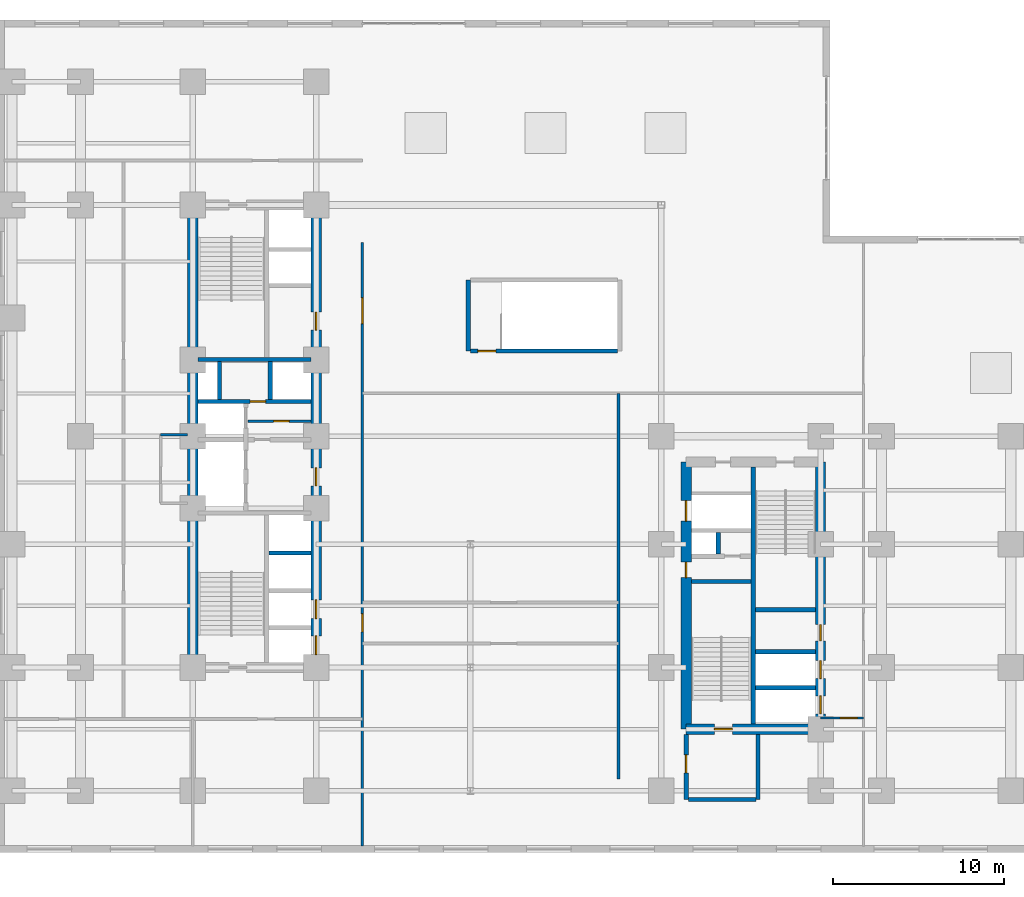
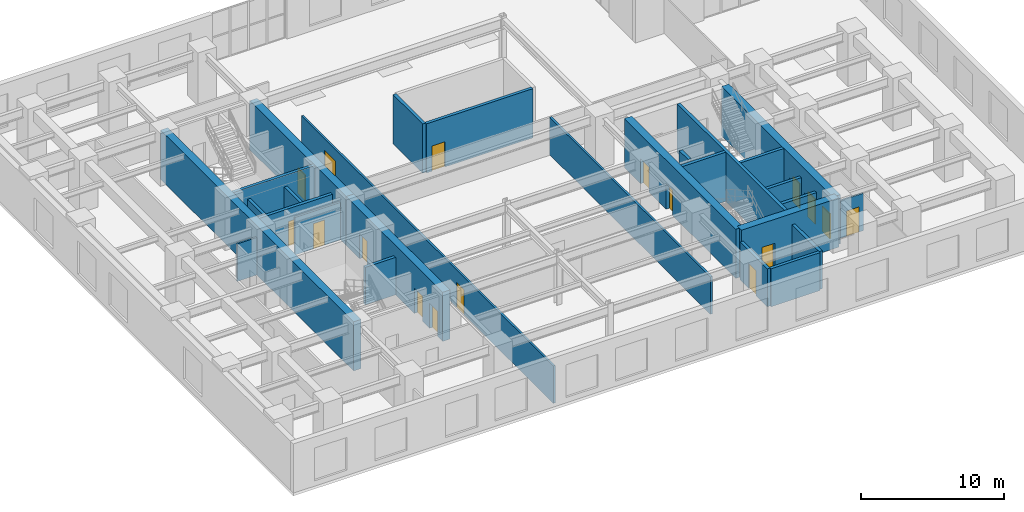
# One storey, part 9 of 14: 27 walls, 17 doors, 17 openings.
"""IFC4 building model written with IfcOpenShell, lengths in metres."""

import ifcopenshell
import ifcopenshell.guid

model = None  # the IFC model being written
_history = None  # IfcOwnerHistory: only IFC2X3 demands one
_inside = {}  # id of a spatial element -> (the spatial element, [elements in it])
_under = {}  # id of a project, library or spatial element -> (it, [spatial elements below it])
_declared = {}  # id of a project -> (the project, [libraries it declares])
_typed = {}  # id of a type object -> (the type object, [elements of that type])
_made_of = {}  # id of a material, layer set ... -> (it, [elements and type objects made of it])


def new_model(schema):
    """Start an empty IFC model of exactly this schema.

    Asked for "IFC4X3", IfcOpenShell would pick the latest addendum, in which some entities
    have other attributes; the version numbers below select the first issue.
    IFC2X3 requires an IfcOwnerHistory on every rooted entity: one is made here for all.
    """
    global model, _history
    if schema == "IFC4X3":
        model = ifcopenshell.file(schema_version=(4, 3, 0, 0))
    else:
        model = ifcopenshell.file(schema=schema)
    _inside.clear()
    _under.clear()
    _declared.clear()
    _typed.clear()
    _made_of.clear()
    _history = None
    if model.schema == "IFC2X3":
        org = make("IfcOrganization", Name="unknown")
        user = make(
            "IfcPersonAndOrganization",
            ThePerson=make("IfcPerson", FamilyName="unknown"),
            TheOrganization=org,
        )
        app = make(
            "IfcApplication",
            ApplicationDeveloper=org,
            Version="unknown",
            ApplicationFullName="unknown",
            ApplicationIdentifier="unknown",
        )
        _history = make(
            "IfcOwnerHistory",
            OwningUser=user,
            OwningApplication=app,
            ChangeAction="ADDED",
            CreationDate=0,
        )
    return model


def make(cls, **values):
    """One entity of the class cls with the attributes given. An attribute that is None is left unset."""
    return model.create_entity(
        cls, **{name: value for name, value in values.items() if value is not None}
    )


def entity(cls, *values):
    """Any entity or typed value of the class cls, its attributes in the order of the schema. None: left unset."""
    e = model.create_entity(cls)
    for i, value in enumerate(values):
        if value is not None:
            e[i] = value
    return e


def rooted(cls, **values):
    """An entity with a GlobalId (a new one), such as an element, a storey or a relation."""
    return make(cls, GlobalId=ifcopenshell.guid.new(), OwnerHistory=_history, **values)


def si_unit(unit_type, name, prefix=None):
    """IfcSIUnit, for example si_unit("LENGTHUNIT", "METRE", prefix="MILLI")."""
    return make("IfcSIUnit", UnitType=unit_type, Prefix=prefix, Name=name)


def converted_unit(unit_type, name, factor, base, dimensions=None, offset=None):
    """IfcConversionBasedUnit, such as the inch: factor (a typed value) times the base unit."""
    return make(
        "IfcConversionBasedUnit"
        if offset is None
        else "IfcConversionBasedUnitWithOffset",
        ConversionOffset=offset,
        Dimensions=None
        if dimensions is None
        else entity("IfcDimensionalExponents", *dimensions),
        UnitType=unit_type,
        Name=name,
        ConversionFactor=make(
            "IfcMeasureWithUnit", ValueComponent=factor, UnitComponent=base
        ),
    )


def assignment(units):
    """IfcUnitAssignment: the units of a project."""
    return None if units is None else make("IfcUnitAssignment", Units=units)


def point(xyz):
    """IfcCartesianPoint."""
    return None if xyz is None else make("IfcCartesianPoint", Coordinates=xyz)


def direction(xyz):
    """IfcDirection."""
    return None if xyz is None else make("IfcDirection", DirectionRatios=xyz)


def frame(location, z_axis=None, x_axis=None):
    """IfcAxis2Placement3D, a coordinate frame: its origin and axes. An axis left out is left unset."""
    return make(
        "IfcAxis2Placement3D",
        Location=point(location),
        Axis=direction(z_axis),
        RefDirection=direction(x_axis),
    )


def frame_2d(location, x_axis=None):
    """IfcAxis2Placement2D, a coordinate frame in the plane: its origin and x axis."""
    return make(
        "IfcAxis2Placement2D", Location=point(location), RefDirection=direction(x_axis)
    )


def origin_with_axes():
    """The frame at (0, 0, 0) with the z axis (0, 0, 1) and the x axis (1, 0, 0) written out."""
    return frame((0.0, 0.0, 0.0), z_axis=(0.0, 0.0, 1.0), x_axis=(1.0, 0.0, 0.0))


def origin_2d_with_axis():
    """The frame at (0, 0) in the plane with the x axis (1, 0) written out."""
    return frame_2d((0.0, 0.0), x_axis=(1.0, 0.0))


def place(relative_to, where):
    """IfcLocalPlacement: puts the frame where relative to a parent placement (None: the world)."""
    return make(
        "IfcLocalPlacement", PlacementRelTo=relative_to, RelativePlacement=where
    )


def context(
    kind, dimensions, precision=None, world=None, true_north=None, identifier=None
):
    """IfcGeometricRepresentationContext, for example the 3D "Model" context."""
    return make(
        "IfcGeometricRepresentationContext",
        ContextIdentifier=identifier,
        ContextType=kind,
        CoordinateSpaceDimension=dimensions,
        Precision=precision,
        WorldCoordinateSystem=world,
        TrueNorth=true_north,
    )


def subcontext(parent, identifier, kind, view, scale=None):
    """IfcGeometricRepresentationSubContext, for example "Body" below "Model"."""
    return make(
        "IfcGeometricRepresentationSubContext",
        ContextIdentifier=identifier,
        ContextType=kind,
        ParentContext=parent,
        TargetScale=scale,
        TargetView=view,
    )


def project(units=None, contexts=None):
    """IfcProject with its units and contexts."""
    return rooted(
        "IfcProject",
        Name="project",
        RepresentationContexts=contexts,
        UnitsInContext=assignment(units),
    )


def spatial(cls, under=None, at=None, **own):
    """A site, building, storey or space (cls), placed at a placement, below another one or the project."""
    s = rooted(cls, ObjectPlacement=at, **own)
    if under is not None:
        _under.setdefault(under.id(), (under, []))[1].append(s)
    return s


def polyline(points):
    """IfcPolyline through the points."""
    return make("IfcPolyline", Points=[point(p) for p in points])


def profile(cls, at=None, kind="AREA", **sizes):
    """A parametric profile (cls). Its sizes go by their IFC names, for example OverallWidth=200.0."""
    return make(cls, ProfileType=kind, Position=at, **sizes)


def rectangle(**sizes):
    """IfcRectangleProfileDef."""
    return profile("IfcRectangleProfileDef", **sizes)


def outline(outer, holes=None, kind="AREA"):
    """IfcArbitraryClosedProfileDef: a profile drawn as a closed curve; with holes, ...WithVoids."""
    if holes is None:
        return make("IfcArbitraryClosedProfileDef", ProfileType=kind, OuterCurve=outer)
    return make(
        "IfcArbitraryProfileDefWithVoids",
        ProfileType=kind,
        OuterCurve=outer,
        InnerCurves=holes,
    )


def extrude(swept, where, along, depth):
    """IfcExtrudedAreaSolid: the profile swept, set in the frame where, extruded along a direction by depth."""
    return make(
        "IfcExtrudedAreaSolid",
        SweptArea=swept,
        Position=where,
        ExtrudedDirection=direction(along),
        Depth=depth,
    )


def shape(context_of_items, identifier, shape_type, items):
    """IfcShapeRepresentation: the items that make up one representation, for example the "Body"."""
    return make(
        "IfcShapeRepresentation",
        ContextOfItems=context_of_items,
        RepresentationIdentifier=identifier,
        RepresentationType=shape_type,
        Items=items,
    )


def material(Name=None, Category=None):
    """IfcMaterial."""
    return make("IfcMaterial", Name=Name, Category=Category)


def layer(
    of_material, thickness, ventilated=None, Name=None, Category=None, Priority=None
):
    """IfcMaterialLayer: one layer of a wall or slab, of a material (None: an air gap)."""
    return make(
        "IfcMaterialLayer",
        Material=of_material,
        LayerThickness=thickness,
        IsVentilated=ventilated,
        Name=Name,
        Category=Category,
        Priority=Priority,
    )


def layer_set(layers, Name=None):
    """IfcMaterialLayerSet."""
    return make("IfcMaterialLayerSet", MaterialLayers=layers, LayerSetName=Name)


def made_of(thing, what):
    """Note that an element or type object is made of a material, layer set ...; save() writes the relation."""
    if what is not None:
        _made_of.setdefault(what.id(), (what, []))[1].append(thing)
    return thing


def type_object(cls, material=None, **own):
    """A type object (cls), such as IfcWallType, which elements share."""
    return made_of(rooted(cls, **own), material)


def element(
    cls,
    number,
    at=None,
    inside=None,
    cuts=None,
    type_object=None,
    material=None,
    context=None,
    identifier="Body",
    shape_type=None,
    held_by="IfcProductDefinitionShape",
    body=None,
    shapes=None,
    **own,
):
    """One element of the class cls, such as IfcWall. Its Tag is "e" and its number.

    at: its placement. inside: the storey or other place that contains it. cuts: it is an
    opening in that element (IfcRelVoidsElement). A single representation is given by context,
    identifier, shape_type and body (its items); several are given by shapes. held_by: the class
    of the entity that holds the representations. save() writes the other relations.
    """
    e = rooted(cls, Tag="e%d" % number, ObjectPlacement=at, **own)
    if body is not None:
        shapes = [shape(context, identifier, shape_type, body)]
    if shapes is not None:
        e.Representation = make(held_by, Representations=shapes)
    if inside is not None:
        _inside.setdefault(inside.id(), (inside, []))[1].append(e)
    if cuts is not None:
        rooted(
            "IfcRelVoidsElement", RelatingBuildingElement=cuts, RelatedOpeningElement=e
        )
    if type_object is not None:
        _typed.setdefault(type_object.id(), (type_object, []))[1].append(e)
    return made_of(e, material)


def fill(opening, filler):
    """IfcRelFillsElement: the door or window that sits in an opening."""
    return rooted(
        "IfcRelFillsElement",
        RelatingOpeningElement=opening,
        RelatedBuildingElement=filler,
    )


def aggregate(whole, parts):
    """IfcRelAggregates: a whole, such as a stair, and the parts it consists of."""
    return rooted("IfcRelAggregates", RelatingObject=whole, RelatedObjects=parts)


def save(model, path):
    """Write the relations noted so far, then the file.

    IfcRelAggregates (storeys below a building ...), IfcRelContainedInSpatialStructure (elements
    in a storey), IfcRelDefinesByType, IfcRelAssociatesMaterial and IfcRelDeclares: one each for
    every whole, place, type object, material and project.
    """
    for whole, parts in _under.values():
        aggregate(whole, parts)
    for where, things in _inside.values():
        rooted(
            "IfcRelContainedInSpatialStructure",
            RelatedElements=things,
            RelatingStructure=where,
        )
    for kind, things in _typed.values():
        rooted("IfcRelDefinesByType", RelatedObjects=things, RelatingType=kind)
    for what, things in _made_of.values():
        rooted("IfcRelAssociatesMaterial", RelatedObjects=things, RelatingMaterial=what)
    for by, libraries in _declared.values():
        rooted("IfcRelDeclares", RelatingContext=by, RelatedDefinitions=libraries)
    model.write(path)


model = new_model("IFC4")

# Units and contexts
model_context = context("Model", 3, precision=1e-05, world=origin_with_axes(), true_north=direction((0.0, 1.0)))
body_context = subcontext(model_context, "Body", "Model", "MODEL_VIEW")
ifc_project = project(units=[si_unit("LENGTHUNIT", "METRE"), si_unit("AREAUNIT", "SQUARE_METRE"), si_unit("VOLUMEUNIT", "CUBIC_METRE"), converted_unit("PLANEANGLEUNIT", "DEGREE", entity("IfcPlaneAngleMeasure", 0.017453292519943295), si_unit("PLANEANGLEUNIT", "RADIAN"), dimensions=[0, 0, 0, 0, 0, 0, 0]), si_unit("MASSUNIT", "GRAM", prefix="KILO"), si_unit("THERMODYNAMICTEMPERATUREUNIT", "KELVIN")], contexts=[model_context])

# Site, building, storey
site_placement = place(None, origin_with_axes())
site = spatial("IfcSite", under=ifc_project, at=site_placement, CompositionType="ELEMENT")
building_placement = place(site_placement, origin_with_axes())
building = spatial("IfcBuilding", under=site, at=building_placement, Name="Varnlund Millrace Tower", CompositionType="ELEMENT")
storey_placement = place(building_placement, frame((0.0, 0.0, 24.3), z_axis=(0.0, 0.0, 1.0), x_axis=(1.0, 0.0, 0.0)))
storey = spatial("IfcBuildingStorey", under=building, at=storey_placement, Name="L05", CompositionType="ELEMENT", Elevation=24.3)

# Wall
ifc_material_1 = material(Name="Concrete C80/95", Category="concrete")
ifc_layer_1 = layer(ifc_material_1, 0.6, Name="Concrete C80/95")
ifc_layer_set_1 = layer_set([ifc_layer_1], Name="Concrete C80/95")
wall_type_1 = type_object("IfcWallType", Name="Type-CoreWall-Shear-600-C80", PredefinedType="SHEAR", material=ifc_layer_set_1)
wall_1_placement = place(storey_placement, frame((11.4, 10.8, 0.0), z_axis=(0.0, 0.0, 1.0), x_axis=(0.0, 1.0, 0.0)))
element("IfcWall", 1, at=wall_1_placement, inside=storey, type_object=wall_type_1, Name="Type-CoreWall-Shear-600-C80", PredefinedType="SHEAR", context=body_context, shape_type="SweptSolid", body=[
    extrude(outline(polyline([(0.0, -0.3), (27.0, -0.3), (27.0, 0.3), (0.0, 0.3), (0.0, -0.3)])), origin_with_axes(), (0.0, 0.0, 1.0), 4.2),
])

# Wall, openings, doors
wall_2_placement = place(storey_placement, frame((18.6, 10.8, 0.0), z_axis=(0.0, 0.0, 1.0), x_axis=(0.0, 1.0, 0.0)))
wall_2 = element("IfcWall", 2, at=wall_2_placement, inside=storey, type_object=wall_type_1, Name="Type-CoreWall-Shear-600-C80", PredefinedType="SHEAR", context=body_context, shape_type="SweptSolid", body=[
    extrude(outline(polyline([(0.0, -0.3), (13.5, -0.3), (13.5, 0.3), (0.0, 0.3), (0.0, -0.3)])), origin_with_axes(), (0.0, 0.0, 1.0), 4.2),
])
opening_1_placement = place(wall_2_placement, frame((1.3, 0.0, 0.0), z_axis=(0.0, 0.0, 1.0), x_axis=(1.0, 0.0, 0.0)))
opening_1 = element("IfcOpeningElement", 3, at=opening_1_placement, cuts=wall_2, Name="Opening L05:LD-ELV-L1", PredefinedType="OPENING", context=body_context, shape_type="SweptSolid", body=[
    extrude(rectangle(XDim=1.1, YDim=0.62, at=origin_2d_with_axis()), origin_with_axes(), (0.0, 0.0, 1.0), 2.15),
])
opening_2_placement = place(wall_2_placement, frame((3.4, 0.0, 0.0), z_axis=(0.0, 0.0, 1.0), x_axis=(1.0, 0.0, 0.0)))
opening_2 = element("IfcOpeningElement", 4, at=opening_2_placement, cuts=wall_2, Name="Opening L05:LD-ELV-L2", PredefinedType="OPENING", context=body_context, shape_type="SweptSolid", body=[
    extrude(rectangle(XDim=1.1, YDim=0.62, at=origin_2d_with_axis()), origin_with_axes(), (0.0, 0.0, 1.0), 2.15),
])
opening_3_placement = place(wall_2_placement, frame((11.125, 0.0, 0.0), z_axis=(0.0, 0.0, 1.0), x_axis=(1.0, 0.0, 0.0)))
opening_3 = element("IfcOpeningElement", 5, at=opening_3_placement, cuts=wall_2, Name="Opening L05:DR-FFLOB-A", PredefinedType="OPENING", context=body_context, shape_type="SweptSolid", body=[
    extrude(rectangle(XDim=1.05, YDim=0.62, at=origin_2d_with_axis()), origin_with_axes(), (0.0, 0.0, 1.0), 2.15),
])
ifc_material_2 = material(Name="Smoke-barrier hollow steel fire door", Category="steel")
door_type_1 = type_object("IfcDoorType", Name="Type-FireDoor-Lobby-1050X2150", OperationType="NOTDEFINED", PredefinedType="DOOR", material=ifc_material_2)
door_1_placement = place(wall_2_placement, frame((11.125, 0.0, 0.0), z_axis=(0.0, 0.0, 1.0), x_axis=(1.0, 0.0, 0.0)))
door_1 = element("IfcDoor", 6, at=door_1_placement, inside=storey, type_object=door_type_1, Name="Type-FireDoor-Lobby-1050X2150", OperationType="SINGLE_SWING_LEFT", OverallHeight=2.15, OverallWidth=1.05, PredefinedType="DOOR", context=body_context, shape_type="SweptSolid", body=[
    extrude(rectangle(XDim=1.05, YDim=0.09, at=origin_2d_with_axis()), origin_with_axes(), (0.0, 0.0, 1.0), 2.15),
])
fill(opening_3, door_1)
ifc_material_3 = material(Name="Stainless and architectural bronze sliding landing door")
door_type_2 = type_object("IfcDoorType", Name="Type-LiftLandingDoor-1100X2150", OperationType="NOTDEFINED", PredefinedType="DOOR", material=ifc_material_3)
door_2_placement = place(wall_2_placement, frame((1.3, 0.0, 0.0), z_axis=(0.0, 0.0, 1.0), x_axis=(1.0, 0.0, 0.0)))
door_2 = element("IfcDoor", 7, at=door_2_placement, inside=storey, type_object=door_type_2, Name="Type-LiftLandingDoor-1100X2150", OperationType="SLIDING_TO_LEFT", OverallHeight=2.15, OverallWidth=1.1, PredefinedType="DOOR", context=body_context, shape_type="SweptSolid", body=[
    extrude(rectangle(XDim=1.1, YDim=0.09, at=origin_2d_with_axis()), origin_with_axes(), (0.0, 0.0, 1.0), 2.15),
])
fill(opening_1, door_2)
door_3_placement = place(wall_2_placement, frame((3.4, 0.0, 0.0), z_axis=(0.0, 0.0, 1.0), x_axis=(1.0, 0.0, 0.0)))
door_3 = element("IfcDoor", 8, at=door_3_placement, inside=storey, type_object=door_type_2, Name="Type-LiftLandingDoor-1100X2150", OperationType="SLIDING_TO_RIGHT", OverallHeight=2.15, OverallWidth=1.1, PredefinedType="DOOR", context=body_context, shape_type="SweptSolid", body=[
    extrude(rectangle(XDim=1.1, YDim=0.09, at=origin_2d_with_axis()), origin_with_axes(), (0.0, 0.0, 1.0), 2.15),
])
fill(opening_2, door_3)

# Wall, opening, door
wall_3_placement = place(storey_placement, frame((18.6, 24.3, 0.0), z_axis=(0.0, 0.0, 1.0), x_axis=(0.0, 1.0, 0.0)))
wall_3 = element("IfcWall", 9, at=wall_3_placement, inside=storey, type_object=wall_type_1, Name="Type-CoreWall-Shear-600-C80", PredefinedType="SHEAR", context=body_context, shape_type="SweptSolid", body=[
    extrude(outline(polyline([(0.0, -0.3), (13.5, -0.3), (13.5, 0.3), (0.0, 0.3), (0.0, -0.3)])), origin_with_axes(), (0.0, 0.0, 1.0), 4.2),
])
opening_4_placement = place(wall_3_placement, frame((6.725, 0.0, 0.0), z_axis=(0.0, 0.0, 1.0), x_axis=(1.0, 0.0, 0.0)))
opening_4 = element("IfcOpeningElement", 10, at=opening_4_placement, cuts=wall_3, Name="Opening L05:DR-CA-WC1", PredefinedType="OPENING", context=body_context, shape_type="SweptSolid", body=[
    extrude(rectangle(XDim=1.05, YDim=0.62, at=origin_2d_with_axis()), origin_with_axes(), (0.0, 0.0, 1.0), 2.15),
])
door_4_placement = place(wall_3_placement, frame((6.725, 0.0, 0.0), z_axis=(0.0, 0.0, 1.0), x_axis=(1.0, 0.0, 0.0)))
door_4 = element("IfcDoor", 11, at=door_4_placement, inside=storey, type_object=door_type_1, Name="Type-FireDoor-Lobby-1050X2150", OperationType="SINGLE_SWING_LEFT", OverallHeight=2.15, OverallWidth=1.05, PredefinedType="DOOR", context=body_context, shape_type="SweptSolid", body=[
    extrude(rectangle(XDim=1.05, YDim=0.09, at=origin_2d_with_axis()), origin_with_axes(), (0.0, 0.0, 1.0), 2.15),
])
fill(opening_4, door_4)

# Wall, openings, doors
wall_4_placement = place(storey_placement, frame((40.2, 7.2, 0.0), z_axis=(0.0, 0.0, 1.0), x_axis=(0.0, 1.0, 0.0)))
wall_4 = element("IfcWall", 12, at=wall_4_placement, inside=storey, type_object=wall_type_1, Name="Type-CoreWall-Shear-600-C80", PredefinedType="SHEAR", context=body_context, shape_type="SweptSolid", body=[
    extrude(outline(polyline([(0.0, -0.3), (15.6, -0.3), (15.6, 0.3), (0.0, 0.3), (0.0, -0.3)])), origin_with_axes(), (0.0, 0.0, 1.0), 4.2),
])
opening_5_placement = place(wall_4_placement, frame((12.75, 0.0, 0.0), z_axis=(0.0, 0.0, 1.0), x_axis=(1.0, 0.0, 0.0)))
opening_5 = element("IfcOpeningElement", 13, at=opening_5_placement, cuts=wall_4, Name="Opening L05:LD-SRV2", PredefinedType="OPENING", context=body_context, shape_type="SweptSolid", body=[
    extrude(rectangle(XDim=1.2, YDim=0.62, at=origin_2d_with_axis()), origin_with_axes(), (0.0, 0.0, 1.0), 2.15),
])
opening_6_placement = place(wall_4_placement, frame((9.3, 0.0, 0.0), z_axis=(0.0, 0.0, 1.0), x_axis=(1.0, 0.0, 0.0)))
opening_6 = element("IfcOpeningElement", 14, at=opening_6_placement, cuts=wall_4, Name="Opening L05:DR-CB-JAN", PredefinedType="OPENING", context=body_context, shape_type="SweptSolid", body=[
    extrude(rectangle(XDim=0.9, YDim=0.62, at=origin_2d_with_axis()), origin_with_axes(), (0.0, 0.0, 1.0), 2.15),
])
ifc_material_4 = material(Name="Fire-rated hollow steel service closet door", Category="steel")
door_type_3 = type_object("IfcDoorType", Name="Type-FireDoor-Closet-900X2150", OperationType="NOTDEFINED", PredefinedType="DOOR", material=ifc_material_4)
door_5_placement = place(wall_4_placement, frame((9.3, 0.0, 0.0), z_axis=(0.0, 0.0, 1.0), x_axis=(1.0, 0.0, 0.0)))
door_5 = element("IfcDoor", 15, at=door_5_placement, inside=storey, type_object=door_type_3, Name="Type-FireDoor-Closet-900X2150", OperationType="SINGLE_SWING_RIGHT", OverallHeight=2.15, OverallWidth=0.9, PredefinedType="DOOR", context=body_context, shape_type="SweptSolid", body=[
    extrude(rectangle(XDim=0.9, YDim=0.09, at=origin_2d_with_axis()), origin_with_axes(), (0.0, 0.0, 1.0), 2.15),
])
fill(opening_6, door_5)
ifc_material_5 = material(Name="Heavy-duty freight sliding landing door")
door_type_4 = type_object("IfcDoorType", Name="Type-LiftLandingDoor-Service-1200X2150", OperationType="NOTDEFINED", PredefinedType="DOOR", material=ifc_material_5)
door_6_placement = place(wall_4_placement, frame((12.75, 0.0, 0.0), z_axis=(0.0, 0.0, 1.0), x_axis=(1.0, 0.0, 0.0)))
door_6 = element("IfcDoor", 16, at=door_6_placement, inside=storey, type_object=door_type_4, Name="Type-LiftLandingDoor-Service-1200X2150", OperationType="DOUBLE_DOOR_SLIDING", OverallHeight=2.15, OverallWidth=1.2, PredefinedType="DOOR", context=body_context, shape_type="SweptSolid", body=[
    extrude(rectangle(XDim=1.2, YDim=0.09, at=origin_2d_with_axis()), origin_with_axes(), (0.0, 0.0, 1.0), 2.15),
])
fill(opening_5, door_6)

# Wall, opening, door
wall_5_placement = place(storey_placement, frame((40.2, 7.2, 0.0), z_axis=(0.0, 0.0, 1.0), x_axis=(1.0, 0.0, 0.0)))
wall_5 = element("IfcWall", 17, at=wall_5_placement, inside=storey, type_object=wall_type_1, Name="Type-CoreWall-Shear-600-C80", PredefinedType="SHEAR", context=body_context, shape_type="SweptSolid", body=[
    extrude(outline(polyline([(0.0, -0.3), (7.85, -0.3), (7.85, 0.3), (0.0, 0.3), (0.0, -0.3)])), origin_with_axes(), (0.0, 0.0, 1.0), 4.2),
])
opening_7_placement = place(wall_5_placement, frame((2.175, 0.0, 0.0), z_axis=(0.0, 0.0, 1.0), x_axis=(1.0, 0.0, 0.0)))
opening_7 = element("IfcOpeningElement", 18, at=opening_7_placement, cuts=wall_5, Name="Opening L05:DR-STB1", PredefinedType="OPENING", context=body_context, shape_type="SweptSolid", body=[
    extrude(rectangle(XDim=1.05, YDim=0.62, at=origin_2d_with_axis()), origin_with_axes(), (0.0, 0.0, 1.0), 2.15),
])
ifc_material_6 = material(Name="Fire-rated hollow steel door", Category="steel")
door_type_5 = type_object("IfcDoorType", Name="Type-FireDoor-Stair-1050X2150", OperationType="NOTDEFINED", PredefinedType="DOOR", material=ifc_material_6)
door_7_placement = place(wall_5_placement, frame((2.175, 0.0, 0.0), z_axis=(0.0, 0.0, 1.0), x_axis=(1.0, 0.0, 0.0)))
door_7 = element("IfcDoor", 19, at=door_7_placement, inside=storey, type_object=door_type_5, Name="Type-FireDoor-Stair-1050X2150", OperationType="SINGLE_SWING_LEFT", OverallHeight=2.15, OverallWidth=1.05, PredefinedType="DOOR", context=body_context, shape_type="SweptSolid", body=[
    extrude(rectangle(XDim=1.05, YDim=0.09, at=origin_2d_with_axis()), origin_with_axes(), (0.0, 0.0, 1.0), 2.15),
])
fill(opening_7, door_7)

# Wall, openings, doors
wall_6_placement = place(storey_placement, frame((48.05, 7.2, 0.0), z_axis=(0.0, 0.0, 1.0), x_axis=(0.0, 1.0, 0.0)))
wall_6 = element("IfcWall", 20, at=wall_6_placement, inside=storey, type_object=wall_type_1, Name="Type-CoreWall-Shear-600-C80", PredefinedType="SHEAR", context=body_context, shape_type="SweptSolid", body=[
    extrude(outline(polyline([(0.0, -0.3), (15.6, -0.3), (15.6, 0.3), (0.0, 0.3), (0.0, -0.3)])), origin_with_axes(), (0.0, 0.0, 1.0), 4.2),
])
opening_8_placement = place(wall_6_placement, frame((1.425, 0.0, 0.0), z_axis=(0.0, 0.0, 1.0), x_axis=(1.0, 0.0, 0.0)))
opening_8 = element("IfcOpeningElement", 21, at=opening_8_placement, cuts=wall_6, Name="Opening L05:LD-ELV-L3", PredefinedType="OPENING", context=body_context, shape_type="SweptSolid", body=[
    extrude(rectangle(XDim=1.05, YDim=0.62, at=origin_2d_with_axis()), origin_with_axes(), (0.0, 0.0, 1.0), 2.15),
])
opening_9_placement = place(wall_6_placement, frame((3.475, 0.0, 0.0), z_axis=(0.0, 0.0, 1.0), x_axis=(1.0, 0.0, 0.0)))
opening_9 = element("IfcOpeningElement", 22, at=opening_9_placement, cuts=wall_6, Name="Opening L05:LD-ELV-L4", PredefinedType="OPENING", context=body_context, shape_type="SweptSolid", body=[
    extrude(rectangle(XDim=1.05, YDim=0.62, at=origin_2d_with_axis()), origin_with_axes(), (0.0, 0.0, 1.0), 2.15),
])
opening_10_placement = place(wall_6_placement, frame((5.625, 0.0, 0.0), z_axis=(0.0, 0.0, 1.0), x_axis=(1.0, 0.0, 0.0)))
opening_10 = element("IfcOpeningElement", 23, at=opening_10_placement, cuts=wall_6, Name="Opening L05:DR-CB-WC", PredefinedType="OPENING", context=body_context, shape_type="SweptSolid", body=[
    extrude(rectangle(XDim=0.95, YDim=0.62, at=origin_2d_with_axis()), origin_with_axes(), (0.0, 0.0, 1.0), 2.15),
])
ifc_material_7 = material(Name="Fire-rated hollow steel core service door", Category="steel")
door_type_6 = type_object("IfcDoorType", Name="Type-FireDoor-Service-950X2150", OperationType="NOTDEFINED", PredefinedType="DOOR", material=ifc_material_7)
door_8_placement = place(wall_6_placement, frame((5.625, 0.0, 0.0), z_axis=(0.0, 0.0, 1.0), x_axis=(1.0, 0.0, 0.0)))
door_8 = element("IfcDoor", 24, at=door_8_placement, inside=storey, type_object=door_type_6, Name="Type-FireDoor-Service-950X2150", OperationType="SINGLE_SWING_LEFT", OverallHeight=2.15, OverallWidth=0.95, PredefinedType="DOOR", context=body_context, shape_type="SweptSolid", body=[
    extrude(rectangle(XDim=0.95, YDim=0.09, at=origin_2d_with_axis()), origin_with_axes(), (0.0, 0.0, 1.0), 2.15),
])
fill(opening_10, door_8)
ifc_material_8 = material(Name="Architectural bronze sliding landing door")
door_type_7 = type_object("IfcDoorType", Name="Type-LiftLandingDoor-Compact-1050X2150", OperationType="NOTDEFINED", PredefinedType="DOOR", material=ifc_material_8)
door_9_placement = place(wall_6_placement, frame((1.425, 0.0, 0.0), z_axis=(0.0, 0.0, 1.0), x_axis=(1.0, 0.0, 0.0)))
door_9 = element("IfcDoor", 25, at=door_9_placement, inside=storey, type_object=door_type_7, Name="Type-LiftLandingDoor-Compact-1050X2150", OperationType="SLIDING_TO_LEFT", OverallHeight=2.15, OverallWidth=1.05, PredefinedType="DOOR", context=body_context, shape_type="SweptSolid", body=[
    extrude(rectangle(XDim=1.05, YDim=0.09, at=origin_2d_with_axis()), origin_with_axes(), (0.0, 0.0, 1.0), 2.15),
])
fill(opening_8, door_9)
door_10_placement = place(wall_6_placement, frame((3.475, 0.0, 0.0), z_axis=(0.0, 0.0, 1.0), x_axis=(1.0, 0.0, 0.0)))
door_10 = element("IfcDoor", 26, at=door_10_placement, inside=storey, type_object=door_type_7, Name="Type-LiftLandingDoor-Compact-1050X2150", OperationType="SLIDING_TO_RIGHT", OverallHeight=2.15, OverallWidth=1.05, PredefinedType="DOOR", context=body_context, shape_type="SweptSolid", body=[
    extrude(rectangle(XDim=1.05, YDim=0.09, at=origin_2d_with_axis()), origin_with_axes(), (0.0, 0.0, 1.0), 2.15),
])
fill(opening_9, door_10)

# Wall, opening, door
ifc_material_9 = material(Name="Fire-rated gypsum board on cold-formed steel framing", Category="steel")
ifc_layer_2 = layer(ifc_material_9, 0.16, Name="Fire-rated gypsum board on cold-formed steel framing")
ifc_layer_set_2 = layer_set([ifc_layer_2], Name="Fire-rated gypsum board on cold-formed steel framing")
wall_type_2 = type_object("IfcWallType", Name="Type-Partition-Corridor-160", PredefinedType="PARTITIONING", material=ifc_layer_set_2)
wall_7_placement = place(storey_placement, frame((14.62, 25.18, 0.0), z_axis=(0.0, 0.0, 1.0), x_axis=(1.0, 0.0, 0.0)))
wall_7 = element("IfcWall", 27, at=wall_7_placement, inside=storey, type_object=wall_type_2, Name="Type-Partition-Corridor-160", PredefinedType="PARTITIONING", context=body_context, shape_type="SweptSolid", body=[
    extrude(outline(polyline([(0.0, -0.08), (3.68, -0.08), (3.68, 0.08), (0.0, 0.08), (0.0, -0.08)])), origin_with_axes(), (0.0, 0.0, 1.0), 3.2),
])
opening_11_placement = place(wall_7_placement, frame((1.95, 0.0, 0.0), z_axis=(0.0, 0.0, 1.0), x_axis=(1.0, 0.0, 0.0)))
opening_11 = element("IfcOpeningElement", 28, at=opening_11_placement, cuts=wall_7, Name="Opening L05:DR-CA-SUB2", PredefinedType="OPENING", context=body_context, shape_type="SweptSolid", body=[
    extrude(rectangle(XDim=0.9, YDim=0.18, at=origin_2d_with_axis()), origin_with_axes(), (0.0, 0.0, 1.0), 2.15),
])
ifc_material_10 = material(Name="Painted steel riser and closet door", Category="steel")
door_type_8 = type_object("IfcDoorType", Name="Type-IntDoor-Closet-900X2150", OperationType="NOTDEFINED", PredefinedType="DOOR", material=ifc_material_10)
door_11_placement = place(wall_7_placement, frame((1.95, 0.0, 0.0), z_axis=(0.0, 0.0, 1.0), x_axis=(1.0, 0.0, 0.0)))
door_11 = element("IfcDoor", 29, at=door_11_placement, inside=storey, type_object=door_type_8, Name="Type-IntDoor-Closet-900X2150", OperationType="SINGLE_SWING_LEFT", OverallHeight=2.15, OverallWidth=0.9, PredefinedType="DOOR", context=body_context, shape_type="SweptSolid", body=[
    extrude(rectangle(XDim=0.9, YDim=0.09, at=origin_2d_with_axis()), origin_with_axes(), (0.0, 0.0, 1.0), 2.15),
])
fill(opening_11, door_11)

# Wall, openings, doors
wall_8_placement = place(storey_placement, frame((21.3, 0.38, 0.0), z_axis=(0.0, 0.0, 1.0), x_axis=(0.0, 1.0, 0.0)))
wall_8 = element("IfcWall", 30, at=wall_8_placement, inside=storey, type_object=wall_type_2, Name="Type-Partition-Corridor-160", PredefinedType="PARTITIONING", context=body_context, shape_type="SweptSolid", body=[
    extrude(outline(polyline([(0.0, -0.08), (35.24, -0.08), (35.24, 0.08), (0.0, 0.08), (0.0, -0.08)])), origin_with_axes(), (0.0, 0.0, 1.0), 3.2),
])
opening_12_placement = place(wall_8_placement, frame((13.025, 0.0, 0.0), z_axis=(0.0, 0.0, 1.0), x_axis=(1.0, 0.0, 0.0)))
opening_12 = element("IfcOpeningElement", 31, at=opening_12_placement, cuts=wall_8, Name="Opening L05:DR-POD-BC", PredefinedType="OPENING", context=body_context, shape_type="SweptSolid", body=[
    extrude(rectangle(XDim=1.05, YDim=0.18, at=origin_2d_with_axis()), origin_with_axes(), (0.0, 0.0, 1.0), 2.15),
])
opening_13_placement = place(wall_8_placement, frame((31.25, 0.0, 0.0), z_axis=(0.0, 0.0, 1.0), x_axis=(1.0, 0.0, 0.0)))
opening_13 = element("IfcOpeningElement", 32, at=opening_13_placement, cuts=wall_8, Name="Opening L05:DR-POD-E2", PredefinedType="OPENING", context=body_context, shape_type="SweptSolid", body=[
    extrude(rectangle(XDim=1.5, YDim=0.18, at=origin_2d_with_axis()), origin_with_axes(), (0.0, 0.0, 1.0), 2.2),
])
door_12_placement = place(wall_8_placement, frame((13.025, 0.0, 0.0), z_axis=(0.0, 0.0, 1.0), x_axis=(1.0, 0.0, 0.0)))
door_12 = element("IfcDoor", 33, at=door_12_placement, inside=storey, type_object=door_type_1, Name="Type-FireDoor-Lobby-1050X2150", OperationType="SINGLE_SWING_LEFT", OverallHeight=2.15, OverallWidth=1.05, PredefinedType="DOOR", context=body_context, shape_type="SweptSolid", body=[
    extrude(rectangle(XDim=1.05, YDim=0.09, at=origin_2d_with_axis()), origin_with_axes(), (0.0, 0.0, 1.0), 2.15),
])
fill(opening_12, door_12)
ifc_material_11 = material(Name="Architectural bronze and acoustic glass double door", Category="glass")
door_type_9 = type_object("IfcDoorType", Name="Type-IntDoor-SuitePair-1500X2200", OperationType="NOTDEFINED", PredefinedType="DOOR", material=ifc_material_11)
door_13_placement = place(wall_8_placement, frame((31.25, 0.0, 0.0), z_axis=(0.0, 0.0, 1.0), x_axis=(1.0, 0.0, 0.0)))
door_13 = element("IfcDoor", 34, at=door_13_placement, inside=storey, type_object=door_type_9, Name="Type-IntDoor-SuitePair-1500X2200", OperationType="DOUBLE_DOOR_SINGLE_SWING", OverallHeight=2.2, OverallWidth=1.5, PredefinedType="DOOR", context=body_context, shape_type="SweptSolid", body=[
    extrude(rectangle(XDim=1.5, YDim=0.09, at=origin_2d_with_axis()), origin_with_axes(), (0.0, 0.0, 1.0), 2.2),
])
fill(opening_13, door_13)

# Wall
wall_9_placement = place(storey_placement, frame((36.25, 4.3, 0.0), z_axis=(0.0, 0.0, 1.0), x_axis=(0.0, 1.0, 0.0)))
element("IfcWall", 35, at=wall_9_placement, inside=storey, type_object=wall_type_2, Name="Type-Partition-Corridor-160", PredefinedType="PARTITIONING", context=body_context, shape_type="SweptSolid", body=[
    extrude(outline(polyline([(0.0, -0.08), (22.5, -0.08), (22.5, 0.08), (0.0, 0.08), (0.0, -0.08)])), origin_with_axes(), (0.0, 0.0, 1.0), 3.2),
])

# Wall, opening, door
ifc_material_12 = material(Name="Gypsum board tenant partition", Category="gypsum")
ifc_layer_3 = layer(ifc_material_12, 0.125, Name="Gypsum board tenant partition")
ifc_layer_set_3 = layer_set([ifc_layer_3], Name="Gypsum board tenant partition")
wall_type_3 = type_object("IfcWallType", Name="Type-Partition-Tenant-125", PredefinedType="PARTITIONING", material=ifc_layer_set_3)
wall_10_placement = place(storey_placement, frame((48.05, 7.85, 0.0), z_axis=(0.0, 0.0, 1.0), x_axis=(1.0, 0.0, 0.0)))
wall_10 = element("IfcWall", 36, at=wall_10_placement, inside=storey, type_object=wall_type_3, Name="Type-Partition-Tenant-125", PredefinedType="PARTITIONING", context=body_context, shape_type="SweptSolid", body=[
    extrude(outline(polyline([(0.0, -0.0625), (2.5, -0.0625), (2.5, 0.0625), (0.0, 0.0625), (0.0, -0.0625)])), origin_with_axes(), (0.0, 0.0, 1.0), 3.2),
])
opening_14_placement = place(wall_10_placement, frame((1.65, 0.0, 0.0), z_axis=(0.0, 0.0, 1.0), x_axis=(1.0, 0.0, 0.0)))
opening_14 = element("IfcOpeningElement", 37, at=opening_14_placement, cuts=wall_10, Name="Opening L05:DR-POD-BSR", PredefinedType="OPENING", context=body_context, shape_type="SweptSolid", body=[
    extrude(rectangle(XDim=1.0, YDim=0.145, at=origin_2d_with_axis()), origin_with_axes(), (0.0, 0.0, 1.0), 2.15),
])
ifc_material_13 = material(Name="Solid-core white oak and bronze frame door")
door_type_10 = type_object("IfcDoorType", Name="Type-IntDoor-Office-1000X2150", OperationType="NOTDEFINED", PredefinedType="DOOR", material=ifc_material_13)
door_14_placement = place(wall_10_placement, frame((1.65, 0.0, 0.0), z_axis=(0.0, 0.0, 1.0), x_axis=(1.0, 0.0, 0.0)))
door_14 = element("IfcDoor", 38, at=door_14_placement, inside=storey, type_object=door_type_10, Name="Type-IntDoor-Office-1000X2150", OperationType="SINGLE_SWING_LEFT", OverallHeight=2.15, OverallWidth=1.0, PredefinedType="DOOR", context=body_context, shape_type="SweptSolid", body=[
    extrude(rectangle(XDim=1.0, YDim=0.075, at=origin_2d_with_axis()), origin_with_axes(), (0.0, 0.0, 1.0), 2.15),
])
fill(opening_14, door_14)

# Wall
ifc_material_14 = material(Name="Moisture-resistant gypsum restroom partition", Category="gypsum")
ifc_layer_4 = layer(ifc_material_14, 0.14, Name="Moisture-resistant gypsum restroom partition")
ifc_layer_set_4 = layer_set([ifc_layer_4], Name="Moisture-resistant gypsum restroom partition")
wall_type_4 = type_object("IfcWallType", Name="Type-Partition-Wet-140", PredefinedType="PARTITIONING", material=ifc_layer_set_4)
wall_11_placement = place(storey_placement, frame((9.52, 24.4, 0.0), z_axis=(0.0, 0.0, 1.0), x_axis=(1.0, 0.0, 0.0)))
element("IfcWall", 39, at=wall_11_placement, inside=storey, type_object=wall_type_4, Name="Type-Partition-Wet-140", PredefinedType="PARTITIONING", context=body_context, shape_type="SweptSolid", body=[
    extrude(outline(polyline([(0.0, -0.07), (1.58, -0.07), (1.58, 0.07), (0.0, 0.07), (0.0, -0.07)])), origin_with_axes(), (0.0, 0.0, 1.0), 3.2),
])

# Wall, opening, door
ifc_material_15 = material(Name="Concrete C60/75", Category="concrete")
ifc_layer_5 = layer(ifc_material_15, 0.25, Name="Concrete C60/75")
ifc_layer_set_5 = layer_set([ifc_layer_5], Name="Concrete C60/75")
wall_type_5 = type_object("IfcWallType", Name="Type-ShaftWall-Fire-250", PredefinedType="SOLIDWALL", material=ifc_layer_set_5)
wall_12_placement = place(storey_placement, frame((11.7, 26.325, 0.0), z_axis=(0.0, 0.0, 1.0), x_axis=(1.0, 0.0, 0.0)))
wall_12 = element("IfcWall", 40, at=wall_12_placement, inside=storey, type_object=wall_type_5, Name="Type-ShaftWall-Fire-250", PredefinedType="SOLIDWALL", context=body_context, shape_type="SweptSolid", body=[
    extrude(outline(polyline([(0.0, -0.125), (6.6, -0.125), (6.6, 0.125), (0.0, 0.125), (0.0, -0.125)])), origin_with_axes(), (0.0, 0.0, 1.0), 3.24),
])
opening_15_placement = place(wall_12_placement, frame((3.5, 0.0, 0.0), z_axis=(0.0, 0.0, 1.0), x_axis=(1.0, 0.0, 0.0)))
opening_15 = element("IfcOpeningElement", 41, at=opening_15_placement, cuts=wall_12, Name="Opening L05:DR-CA-ELC", PredefinedType="OPENING", context=body_context, shape_type="SweptSolid", body=[
    extrude(rectangle(XDim=0.9, YDim=0.27, at=origin_2d_with_axis()), origin_with_axes(), (0.0, 0.0, 1.0), 2.15),
])
door_15_placement = place(wall_12_placement, frame((3.5, 0.0, 0.0), z_axis=(0.0, 0.0, 1.0), x_axis=(1.0, 0.0, 0.0)))
door_15 = element("IfcDoor", 42, at=door_15_placement, inside=storey, type_object=door_type_3, Name="Type-FireDoor-Closet-900X2150", OperationType="SINGLE_SWING_LEFT", OverallHeight=2.15, OverallWidth=0.9, PredefinedType="DOOR", context=body_context, shape_type="SweptSolid", body=[
    extrude(rectangle(XDim=0.9, YDim=0.09, at=origin_2d_with_axis()), origin_with_axes(), (0.0, 0.0, 1.0), 2.15),
])
fill(opening_15, door_15)

# Walls
for number, where, z_axis, x_axis, name in (
    (43, (12.96, 26.45, 0.0), (0.0, 0.0, 1.0), (0.0, 1.0, 0.0), "Type-ShaftWall-Fire-250"),
    (44, (15.925, 26.45, 0.0), (0.0, 0.0, 1.0), (0.0, 1.0, 0.0), "Type-ShaftWall-Fire-250"),
):
    element("IfcWall", number, at=place(storey_placement, frame(where, z_axis=z_axis, x_axis=x_axis)), inside=storey, type_object=wall_type_5, Name=name, PredefinedType="SOLIDWALL", context=body_context, shape_type="SweptSolid", body=[
        extrude(outline(polyline([(0.0, -0.125), (2.2, -0.125), (2.2, 0.125), (0.0, 0.125), (0.0, -0.125)])), origin_with_axes(), (0.0, 0.0, 1.0), 3.24),
    ])
wall_13_placement = place(storey_placement, frame((42.075, 17.43, 0.0), z_axis=(0.0, 0.0, 1.0), x_axis=(0.0, 1.0, 0.0)))
element("IfcWall", 45, at=wall_13_placement, inside=storey, type_object=wall_type_5, Name="Type-ShaftWall-Fire-250", PredefinedType="SOLIDWALL", context=body_context, shape_type="SweptSolid", body=[
    extrude(outline(polyline([(0.0, -0.125), (1.24, -0.125), (1.24, 0.125), (0.0, 0.125), (0.0, -0.125)])), origin_with_axes(), (0.0, 0.0, 1.0), 3.24),
])

# Wall, opening, door
wall_14_placement = place(storey_placement, frame((40.2, 3.1, 0.0), z_axis=(0.0, 0.0, 1.0), x_axis=(0.0, 1.0, 0.0)))
wall_14 = element("IfcWall", 46, at=wall_14_placement, inside=storey, type_object=wall_type_5, Name="Type-ShaftWall-Fire-250", PredefinedType="SOLIDWALL", context=body_context, shape_type="SweptSolid", body=[
    extrude(outline(polyline([(0.0, -0.125), (3.8, -0.125), (3.8, 0.125), (0.0, 0.125), (0.0, -0.125)])), origin_with_axes(), (0.0, 0.0, 1.0), 3.24),
])
opening_16_placement = place(wall_14_placement, frame((2.075, 0.0, 0.0), z_axis=(0.0, 0.0, 1.0), x_axis=(1.0, 0.0, 0.0)))
opening_16 = element("IfcOpeningElement", 47, at=opening_16_placement, cuts=wall_14, Name="Opening L05:DR-FFLOB-B", PredefinedType="OPENING", context=body_context, shape_type="SweptSolid", body=[
    extrude(rectangle(XDim=1.05, YDim=0.27, at=origin_2d_with_axis()), origin_with_axes(), (0.0, 0.0, 1.0), 2.15),
])
door_16_placement = place(wall_14_placement, frame((2.075, 0.0, 0.0), z_axis=(0.0, 0.0, 1.0), x_axis=(1.0, 0.0, 0.0)))
door_16 = element("IfcDoor", 48, at=door_16_placement, inside=storey, type_object=door_type_1, Name="Type-FireDoor-Lobby-1050X2150", OperationType="SINGLE_SWING_LEFT", OverallHeight=2.15, OverallWidth=1.05, PredefinedType="DOOR", context=body_context, shape_type="SweptSolid", body=[
    extrude(rectangle(XDim=1.05, YDim=0.09, at=origin_2d_with_axis()), origin_with_axes(), (0.0, 0.0, 1.0), 2.15),
])
fill(opening_16, door_16)

# Walls
wall_15_placement = place(storey_placement, frame((40.325, 3.1, 0.0), z_axis=(0.0, 0.0, 1.0), x_axis=(1.0, 0.0, 0.0)))
element("IfcWall", 49, at=wall_15_placement, inside=storey, type_object=wall_type_5, Name="Type-ShaftWall-Fire-250", PredefinedType="SOLIDWALL", context=body_context, shape_type="SweptSolid", body=[
    extrude(outline(polyline([(0.0, -0.125), (3.95, -0.125), (3.95, 0.125), (0.0, 0.125), (0.0, -0.125)])), origin_with_axes(), (0.0, 0.0, 1.0), 3.24),
])
wall_16_placement = place(storey_placement, frame((44.4, 3.1, 0.0), z_axis=(0.0, 0.0, 1.0), x_axis=(0.0, 1.0, 0.0)))
element("IfcWall", 50, at=wall_16_placement, inside=storey, type_object=wall_type_5, Name="Type-ShaftWall-Fire-250", PredefinedType="SOLIDWALL", context=body_context, shape_type="SweptSolid", body=[
    extrude(outline(polyline([(0.0, -0.125), (3.8, -0.125), (3.8, 0.125), (0.0, 0.125), (0.0, -0.125)])), origin_with_axes(), (0.0, 0.0, 1.0), 3.24),
])
wall_17_placement = place(storey_placement, frame((15.84, 17.49, 0.0), z_axis=(0.0, 0.0, 1.0), x_axis=(1.0, 0.0, 0.0)))
element("IfcWall", 51, at=wall_17_placement, inside=storey, type_object=wall_type_5, Name="Type-ShaftWall-Fire-250", PredefinedType="SOLIDWALL", context=body_context, shape_type="SweptSolid", body=[
    extrude(outline(polyline([(0.0, -0.125), (2.46, -0.125), (2.46, 0.125), (0.0, 0.125), (0.0, -0.125)])), origin_with_axes(), (0.0, 0.0, 1.0), 3.2),
])
for number, where, z_axis, x_axis, name in (
    (52, (44.25, 9.62, 0.0), (0.0, 0.0, 1.0), (1.0, 0.0, 0.0), "Type-ShaftWall-Fire-250"),
    (53, (44.25, 11.72, 0.0), (0.0, 0.0, 1.0), (1.0, 0.0, 0.0), "Type-ShaftWall-Fire-250"),
):
    element("IfcWall", number, at=place(storey_placement, frame(where, z_axis=z_axis, x_axis=x_axis)), inside=storey, type_object=wall_type_5, Name=name, PredefinedType="SOLIDWALL", context=body_context, shape_type="SweptSolid", body=[
        extrude(outline(polyline([(0.0, -0.125), (3.5, -0.125), (3.5, 0.125), (0.0, 0.125), (0.0, -0.125)])), origin_with_axes(), (0.0, 0.0, 1.0), 3.2),
    ])
wall_type_6 = type_object("IfcWallType", Name="Type-StairWall-Shear-250", PredefinedType="SHEAR", material=ifc_layer_set_5)
wall_18_placement = place(storey_placement, frame((11.7, 28.775, 0.0), z_axis=(0.0, 0.0, 1.0), x_axis=(1.0, 0.0, 0.0)))
element("IfcWall", 54, at=wall_18_placement, inside=storey, type_object=wall_type_6, Name="Type-StairWall-Shear-250", PredefinedType="SHEAR", context=body_context, shape_type="SweptSolid", body=[
    extrude(outline(polyline([(0.0, -0.125), (6.6, -0.125), (6.6, 0.125), (0.0, 0.125), (0.0, -0.125)])), origin_with_axes(), (0.0, 0.0, 1.0), 4.2),
])
wall_19_placement = place(storey_placement, frame((44.125, 7.5, 0.0), z_axis=(0.0, 0.0, 1.0), x_axis=(0.0, 1.0, 0.0)))
element("IfcWall", 55, at=wall_19_placement, inside=storey, type_object=wall_type_6, Name="Type-StairWall-Shear-250", PredefinedType="SHEAR", context=body_context, shape_type="SweptSolid", body=[
    extrude(outline(polyline([(0.0, -0.125), (15.0, -0.125), (15.0, 0.125), (0.0, 0.125), (0.0, -0.125)])), origin_with_axes(), (0.0, 0.0, 1.0), 4.2),
])
for number, where, z_axis, x_axis, name in (
    (56, (40.5, 15.825, 0.0), (0.0, 0.0, 1.0), (1.0, 0.0, 0.0), "Type-StairWall-Shear-250"),
    (57, (44.25, 14.175, 0.0), (0.0, 0.0, 1.0), (1.0, 0.0, 0.0), "Type-StairWall-Shear-250"),
):
    element("IfcWall", number, at=place(storey_placement, frame(where, z_axis=z_axis, x_axis=x_axis)), inside=storey, type_object=wall_type_6, Name=name, PredefinedType="SHEAR", context=body_context, shape_type="SweptSolid", body=[
        extrude(outline(polyline([(0.0, -0.125), (3.5, -0.125), (3.5, 0.125), (0.0, 0.125), (0.0, -0.125)])), origin_with_axes(), (0.0, 0.0, 1.0), 4.2),
    ])
wall_20_placement = place(storey_placement, frame((27.475, 29.275, 0.0), z_axis=(0.0, 0.0, 1.0), x_axis=(0.0, 1.0, 0.0)))
element("IfcWall", 58, at=wall_20_placement, inside=storey, type_object=wall_type_6, Name="Type-StairWall-Shear-250", PredefinedType="SHEAR", context=body_context, shape_type="SweptSolid", body=[
    extrude(outline(polyline([(0.0, -0.125), (4.15, -0.125), (4.15, 0.125), (0.0, 0.125), (0.0, -0.125)])), origin_with_axes(), (0.0, 0.0, 1.0), 4.2),
])

# Wall, opening, door
wall_21_placement = place(storey_placement, frame((27.6, 29.275, 0.0), z_axis=(0.0, 0.0, 1.0), x_axis=(1.0, 0.0, 0.0)))
wall_21 = element("IfcWall", 59, at=wall_21_placement, inside=storey, type_object=wall_type_6, Name="Type-StairWall-Shear-250", PredefinedType="SHEAR", context=body_context, shape_type="SweptSolid", body=[
    extrude(outline(polyline([(0.0, -0.125), (8.6, -0.125), (8.6, 0.125), (0.0, 0.125), (0.0, -0.125)])), origin_with_axes(), (0.0, 0.0, 1.0), 4.2),
])
opening_17_placement = place(wall_21_placement, frame((0.975, 0.0, 0.0), z_axis=(0.0, 0.0, 1.0), x_axis=(1.0, 0.0, 0.0)))
opening_17 = element("IfcOpeningElement", 60, at=opening_17_placement, cuts=wall_21, Name="Opening L05:DR-STP1", PredefinedType="OPENING", context=body_context, shape_type="SweptSolid", body=[
    extrude(rectangle(XDim=1.05, YDim=0.27, at=origin_2d_with_axis()), origin_with_axes(), (0.0, 0.0, 1.0), 2.15),
])
door_17_placement = place(wall_21_placement, frame((0.975, 0.0, 0.0), z_axis=(0.0, 0.0, 1.0), x_axis=(1.0, 0.0, 0.0)))
door_17 = element("IfcDoor", 61, at=door_17_placement, inside=storey, type_object=door_type_5, Name="Type-FireDoor-Stair-1050X2150", OperationType="SINGLE_SWING_LEFT", OverallHeight=2.15, OverallWidth=1.05, PredefinedType="DOOR", context=body_context, shape_type="SweptSolid", body=[
    extrude(rectangle(XDim=1.05, YDim=0.09, at=origin_2d_with_axis()), origin_with_axes(), (0.0, 0.0, 1.0), 2.15),
])
fill(opening_17, door_17)

save(model, "model.ifc")
